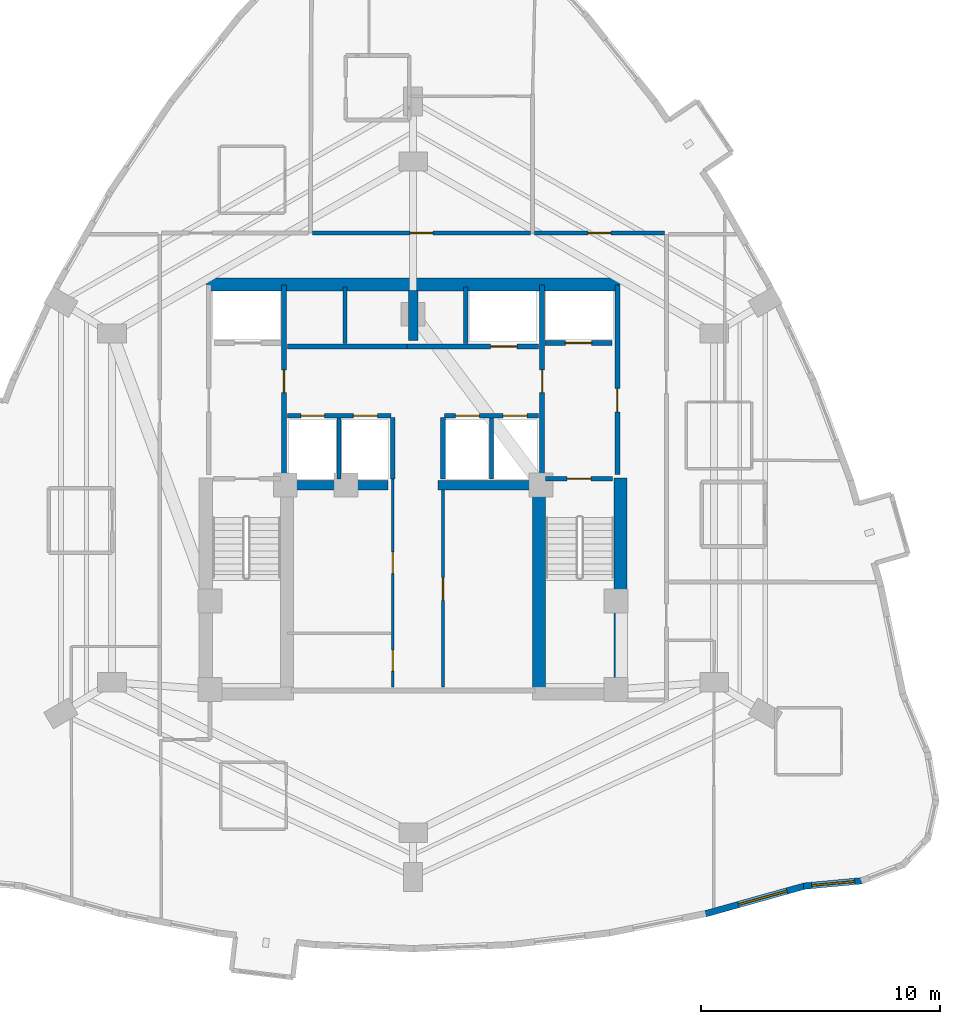
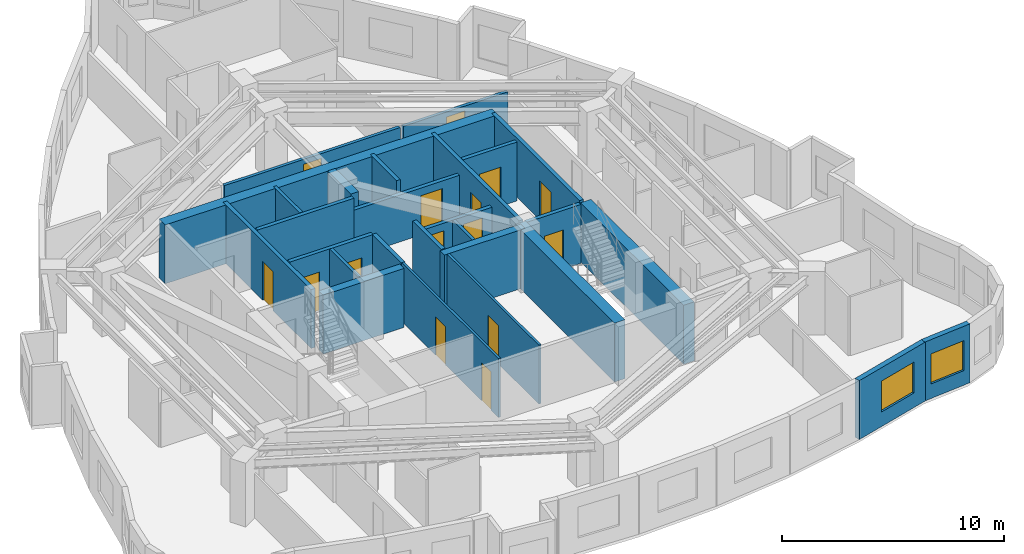
# One storey, part 6 of 10: 27 walls, 15 doors, 2 windows, 17 openings.
"""IFC4 building model written with IfcOpenShell, lengths in metres."""

import ifcopenshell
import ifcopenshell.guid

model = None  # the IFC model being written
_history = None  # IfcOwnerHistory: only IFC2X3 demands one
_inside = {}  # id of a spatial element -> (the spatial element, [elements in it])
_under = {}  # id of a project, library or spatial element -> (it, [spatial elements below it])
_declared = {}  # id of a project -> (the project, [libraries it declares])
_typed = {}  # id of a type object -> (the type object, [elements of that type])
_made_of = {}  # id of a material, layer set ... -> (it, [elements and type objects made of it])


def new_model(schema):
    """Start an empty IFC model of exactly this schema.

    Asked for "IFC4X3", IfcOpenShell would pick the latest addendum, in which some entities
    have other attributes; the version numbers below select the first issue.
    IFC2X3 requires an IfcOwnerHistory on every rooted entity: one is made here for all.
    """
    global model, _history
    if schema == "IFC4X3":
        model = ifcopenshell.file(schema_version=(4, 3, 0, 0))
    else:
        model = ifcopenshell.file(schema=schema)
    _inside.clear()
    _under.clear()
    _declared.clear()
    _typed.clear()
    _made_of.clear()
    _history = None
    if model.schema == "IFC2X3":
        org = make("IfcOrganization", Name="unknown")
        user = make(
            "IfcPersonAndOrganization",
            ThePerson=make("IfcPerson", FamilyName="unknown"),
            TheOrganization=org,
        )
        app = make(
            "IfcApplication",
            ApplicationDeveloper=org,
            Version="unknown",
            ApplicationFullName="unknown",
            ApplicationIdentifier="unknown",
        )
        _history = make(
            "IfcOwnerHistory",
            OwningUser=user,
            OwningApplication=app,
            ChangeAction="ADDED",
            CreationDate=0,
        )
    return model


def make(cls, **values):
    """One entity of the class cls with the attributes given. An attribute that is None is left unset."""
    return model.create_entity(
        cls, **{name: value for name, value in values.items() if value is not None}
    )


def rooted(cls, **values):
    """An entity with a GlobalId (a new one), such as an element, a storey or a relation."""
    return make(cls, GlobalId=ifcopenshell.guid.new(), OwnerHistory=_history, **values)


def si_unit(unit_type, name, prefix=None):
    """IfcSIUnit, for example si_unit("LENGTHUNIT", "METRE", prefix="MILLI")."""
    return make("IfcSIUnit", UnitType=unit_type, Prefix=prefix, Name=name)


def assignment(units):
    """IfcUnitAssignment: the units of a project."""
    return None if units is None else make("IfcUnitAssignment", Units=units)


def point(xyz):
    """IfcCartesianPoint."""
    return None if xyz is None else make("IfcCartesianPoint", Coordinates=xyz)


def direction(xyz):
    """IfcDirection."""
    return None if xyz is None else make("IfcDirection", DirectionRatios=xyz)


def frame(location, z_axis=None, x_axis=None):
    """IfcAxis2Placement3D, a coordinate frame: its origin and axes. An axis left out is left unset."""
    return make(
        "IfcAxis2Placement3D",
        Location=point(location),
        Axis=direction(z_axis),
        RefDirection=direction(x_axis),
    )


def frame_2d(location, x_axis=None):
    """IfcAxis2Placement2D, a coordinate frame in the plane: its origin and x axis."""
    return make(
        "IfcAxis2Placement2D", Location=point(location), RefDirection=direction(x_axis)
    )


def origin():
    """The frame at (0, 0, 0) with its axes left unset."""
    return frame((0.0, 0.0, 0.0))


def place(relative_to, where):
    """IfcLocalPlacement: puts the frame where relative to a parent placement (None: the world)."""
    return make(
        "IfcLocalPlacement", PlacementRelTo=relative_to, RelativePlacement=where
    )


def context(
    kind, dimensions, precision=None, world=None, true_north=None, identifier=None
):
    """IfcGeometricRepresentationContext, for example the 3D "Model" context."""
    return make(
        "IfcGeometricRepresentationContext",
        ContextIdentifier=identifier,
        ContextType=kind,
        CoordinateSpaceDimension=dimensions,
        Precision=precision,
        WorldCoordinateSystem=world,
        TrueNorth=true_north,
    )


def subcontext(parent, identifier, kind, view, scale=None):
    """IfcGeometricRepresentationSubContext, for example "Body" below "Model"."""
    return make(
        "IfcGeometricRepresentationSubContext",
        ContextIdentifier=identifier,
        ContextType=kind,
        ParentContext=parent,
        TargetScale=scale,
        TargetView=view,
    )


def project(units=None, contexts=None):
    """IfcProject with its units and contexts."""
    return rooted(
        "IfcProject",
        Name="project",
        RepresentationContexts=contexts,
        UnitsInContext=assignment(units),
    )


def spatial(cls, under=None, at=None, **own):
    """A site, building, storey or space (cls), placed at a placement, below another one or the project."""
    s = rooted(cls, ObjectPlacement=at, **own)
    if under is not None:
        _under.setdefault(under.id(), (under, []))[1].append(s)
    return s


def profile(cls, at=None, kind="AREA", **sizes):
    """A parametric profile (cls). Its sizes go by their IFC names, for example OverallWidth=200.0."""
    return make(cls, ProfileType=kind, Position=at, **sizes)


def rectangle(**sizes):
    """IfcRectangleProfileDef."""
    return profile("IfcRectangleProfileDef", **sizes)


def extrude(swept, where, along, depth):
    """IfcExtrudedAreaSolid: the profile swept, set in the frame where, extruded along a direction by depth."""
    return make(
        "IfcExtrudedAreaSolid",
        SweptArea=swept,
        Position=where,
        ExtrudedDirection=direction(along),
        Depth=depth,
    )


def shape(context_of_items, identifier, shape_type, items):
    """IfcShapeRepresentation: the items that make up one representation, for example the "Body"."""
    return make(
        "IfcShapeRepresentation",
        ContextOfItems=context_of_items,
        RepresentationIdentifier=identifier,
        RepresentationType=shape_type,
        Items=items,
    )


def material(Name=None, Category=None):
    """IfcMaterial."""
    return make("IfcMaterial", Name=Name, Category=Category)


def layer(
    of_material, thickness, ventilated=None, Name=None, Category=None, Priority=None
):
    """IfcMaterialLayer: one layer of a wall or slab, of a material (None: an air gap)."""
    return make(
        "IfcMaterialLayer",
        Material=of_material,
        LayerThickness=thickness,
        IsVentilated=ventilated,
        Name=Name,
        Category=Category,
        Priority=Priority,
    )


def layer_set(layers, Name=None):
    """IfcMaterialLayerSet."""
    return make("IfcMaterialLayerSet", MaterialLayers=layers, LayerSetName=Name)


def made_of(thing, what):
    """Note that an element or type object is made of a material, layer set ...; save() writes the relation."""
    if what is not None:
        _made_of.setdefault(what.id(), (what, []))[1].append(thing)
    return thing


def type_object(cls, material=None, **own):
    """A type object (cls), such as IfcWallType, which elements share."""
    return made_of(rooted(cls, **own), material)


def element(
    cls,
    number,
    at=None,
    inside=None,
    cuts=None,
    type_object=None,
    material=None,
    context=None,
    identifier="Body",
    shape_type=None,
    held_by="IfcProductDefinitionShape",
    body=None,
    shapes=None,
    **own,
):
    """One element of the class cls, such as IfcWall. Its Tag is "e" and its number.

    at: its placement. inside: the storey or other place that contains it. cuts: it is an
    opening in that element (IfcRelVoidsElement). A single representation is given by context,
    identifier, shape_type and body (its items); several are given by shapes. held_by: the class
    of the entity that holds the representations. save() writes the other relations.
    """
    e = rooted(cls, Tag="e%d" % number, ObjectPlacement=at, **own)
    if body is not None:
        shapes = [shape(context, identifier, shape_type, body)]
    if shapes is not None:
        e.Representation = make(held_by, Representations=shapes)
    if inside is not None:
        _inside.setdefault(inside.id(), (inside, []))[1].append(e)
    if cuts is not None:
        rooted(
            "IfcRelVoidsElement", RelatingBuildingElement=cuts, RelatedOpeningElement=e
        )
    if type_object is not None:
        _typed.setdefault(type_object.id(), (type_object, []))[1].append(e)
    return made_of(e, material)


def fill(opening, filler):
    """IfcRelFillsElement: the door or window that sits in an opening."""
    return rooted(
        "IfcRelFillsElement",
        RelatingOpeningElement=opening,
        RelatedBuildingElement=filler,
    )


def aggregate(whole, parts):
    """IfcRelAggregates: a whole, such as a stair, and the parts it consists of."""
    return rooted("IfcRelAggregates", RelatingObject=whole, RelatedObjects=parts)


def save(model, path):
    """Write the relations noted so far, then the file.

    IfcRelAggregates (storeys below a building ...), IfcRelContainedInSpatialStructure (elements
    in a storey), IfcRelDefinesByType, IfcRelAssociatesMaterial and IfcRelDeclares: one each for
    every whole, place, type object, material and project.
    """
    for whole, parts in _under.values():
        aggregate(whole, parts)
    for where, things in _inside.values():
        rooted(
            "IfcRelContainedInSpatialStructure",
            RelatedElements=things,
            RelatingStructure=where,
        )
    for kind, things in _typed.values():
        rooted("IfcRelDefinesByType", RelatedObjects=things, RelatingType=kind)
    for what, things in _made_of.values():
        rooted("IfcRelAssociatesMaterial", RelatedObjects=things, RelatingMaterial=what)
    for by, libraries in _declared.values():
        rooted("IfcRelDeclares", RelatingContext=by, RelatedDefinitions=libraries)
    model.write(path)


model = new_model("IFC4")

# Units and contexts
model_context = context("Model", 3, precision=1e-05, world=origin(), true_north=direction((0.0, 1.0)))
body_context = subcontext(model_context, "Body", "Model", "MODEL_VIEW")
ifc_project = project(units=[si_unit("LENGTHUNIT", "METRE"), si_unit("AREAUNIT", "SQUARE_METRE"), si_unit("VOLUMEUNIT", "CUBIC_METRE"), si_unit("PLANEANGLEUNIT", "RADIAN"), si_unit("MASSUNIT", "GRAM", prefix="KILO")], contexts=[model_context])

# Site, building, storey
site_placement = place(None, origin())
site = spatial("IfcSite", under=ifc_project, at=site_placement, CompositionType="ELEMENT")
building_placement = place(site_placement, origin())
building = spatial("IfcBuilding", under=site, at=building_placement, Name="Miruveldt Soraemaru", CompositionType="ELEMENT")
storey_placement = place(building_placement, frame((0.0, 0.0, 121.39990234375)))
storey = spatial("IfcBuildingStorey", under=building, at=storey_placement, Name="L33", CompositionType="ELEMENT", Elevation=121.39990234375)

# Walls
ifc_material_1 = material(Name="Concrete C70/85 (70 MPa)", Category="concrete")
ifc_layer_1 = layer(ifc_material_1, 0.5, Name="Concrete C70/85 (70 MPa)", Category="concrete")
ifc_layer_set_1 = layer_set([ifc_layer_1], Name="Concrete C70/85 (70 MPa)")
wall_type_1 = type_object("IfcWallType", Name="WALL-BW-500", PredefinedType="SHEAR", material=ifc_layer_set_1)
wall_1_placement = place(storey_placement, frame((44.0, 50.10009765625, 0.0), z_axis=(0.0, 0.0, 1.0), x_axis=(0.0, 1.0, 0.0)))
element("IfcWall", 1, at=wall_1_placement, inside=storey, type_object=wall_type_1, Name="L33 Core Buttress Shear Wall BN", PredefinedType="SHEAR", context=body_context, shape_type="SweptSolid", body=[
    extrude(rectangle(XDim=2.099853515625, YDim=0.39990234375, at=frame_2d((1.0498046875, 0.0))), origin(), (0.0, 0.0, 1.0), 3.235107421875),
])
for number, where, z_axis, x_axis, name in (
    (2, (38.75, 44.050048828125, 0.0), (0.0, 0.0, 1.0), (1.0, 0.0, 0.0), "L33 Core Buttress Shear Wall BW"),
    (3, (45.050048828125, 44.050048828125, 0.0), (0.0, 0.0, 1.0), (1.0, 0.0, 0.0), "L33 Core Buttress Shear Wall BE"),
):
    element("IfcWall", number, at=place(storey_placement, frame(where, z_axis=z_axis, x_axis=x_axis)), inside=storey, type_object=wall_type_1, Name=name, PredefinedType="SHEAR", context=body_context, shape_type="SweptSolid", body=[
        extrude(rectangle(XDim=4.199951171875, YDim=0.39990234375, at=frame_2d((2.10009765625, 0.0))), origin(), (0.0, 0.0, 1.0), 3.235107421875),
    ])
ifc_layer_2 = layer(ifc_material_1, 0.550048828125, Name="Concrete C70/85 (70 MPa)", Category="concrete")
ifc_layer_set_2 = layer_set([ifc_layer_2], Name="Concrete C70/85 (70 MPa)")
wall_type_2 = type_object("IfcWallType", Name="WALL-CW-550", PredefinedType="SHEAR", material=ifc_layer_set_2)
wall_2_placement = place(storey_placement, frame((35.35009765625, 52.449951171875, 0.0), z_axis=(0.0, 0.0, 1.0), x_axis=(1.0, 0.0, 0.0)))
element("IfcWall", 4, at=wall_2_placement, inside=storey, type_object=wall_type_2, Name="L33 Central Core Shear Wall N", PredefinedType="SHEAR", context=body_context, shape_type="SweptSolid", body=[
    extrude(rectangle(XDim=17.2998046875, YDim=0.550048828125, at=frame_2d((8.64990234375, 0.0))), origin(), (0.0, 0.0, 1.0), 3.235107421875),
])
wall_3_placement = place(storey_placement, frame((52.675048828125, 35.050048828125, 0.0), z_axis=(0.0, 0.0, 1.0), x_axis=(0.0, 1.0, 0.0)))
element("IfcWall", 5, at=wall_3_placement, inside=storey, type_object=wall_type_2, Name="L33 Central Core Shear Wall E1", PredefinedType="SHEAR", context=body_context, shape_type="SweptSolid", body=[
    extrude(rectangle(XDim=9.300048828125, YDim=0.550048828125, at=frame_2d((4.64990234375, 0.0))), origin(), (0.0, 0.0, 1.0), 3.235107421875),
])
wall_4_placement = place(storey_placement, frame((49.27490234375, 35.39990234375, 0.0), z_axis=(0.0, 0.0, 1.0), x_axis=(0.0, 1.0, 0.0)))
element("IfcWall", 6, at=wall_4_placement, inside=storey, type_object=wall_type_2, Name="L33 Central Core Shear Wall SE-INT", PredefinedType="SHEAR", context=body_context, shape_type="SweptSolid", body=[
    extrude(rectangle(XDim=8.9501953125, YDim=0.550048828125, at=frame_2d((4.47509765625, 0.0))), origin(), (0.0, 0.0, 1.0), 3.235107421875),
])

# Wall, opening, window
ifc_material_2 = material(Name="Precast concrete C45/55 (45 MPa)", Category="concrete")
ifc_layer_3 = layer(ifc_material_2, 0.27001953125, Name="Precast concrete C45/55 (45 MPa)", Category="concrete")
ifc_layer_set_3 = layer_set([ifc_layer_3], Name="Precast concrete C45/55 (45 MPa)")
wall_type_3 = type_object("IfcWallType", Name="WALL-EXT-PC270", PredefinedType="SOLIDWALL", material=ifc_layer_set_3)
wall_5_placement = place(storey_placement, frame((56.248291015625, 26.11083984375, 0.0), z_axis=(0.0, 0.0, 1.0), x_axis=(0.96297692647, 0.269583825714, 0.0)))
wall_5 = element("IfcWall", 7, at=wall_5_placement, inside=storey, type_object=wall_type_3, Name="L33 Precast Concrete Facade Wall 28", PredefinedType="SOLIDWALL", context=body_context, shape_type="SweptSolid", body=[
    extrude(rectangle(XDim=4.321533203125, YDim=0.27001953125, at=frame_2d((2.16064453125, 0.0))), origin(), (0.0, 0.0, 1.0), 3.235107421875),
])
opening_1_placement = place(wall_5_placement, frame((1.423095703125, 0.0, 0.800048828125)))
opening_1 = element("IfcOpeningElement", 8, at=opening_1_placement, cuts=wall_5, Name="Opening WN-1", PredefinedType="OPENING", context=body_context, shape_type="SweptSolid", body=[
    extrude(rectangle(XDim=2.10009765625, YDim=1.699951171875, at=frame_2d((1.050048828125, 0.85009765625))), frame((0.0, 0.14501953125, 0.0), z_axis=(0.0, -1.0, 0.0), x_axis=(1.0, 0.0, 0.0)), (0.0, 0.0, 1.0), 0.2900390625),
])
ifc_material_3 = material(Name="Triple low-e insulated glazing", Category="glass")
window_type_1 = type_object("IfcWindowType", Name="WIN-PUNCH-2100x1700", PartitioningType="SINGLE_PANEL", PredefinedType="WINDOW", material=ifc_material_3)
window_1_placement = place(opening_1_placement, origin())
window_1 = element("IfcWindow", 9, at=window_1_placement, inside=storey, type_object=window_type_1, Name="L33 Punched Triple-Glazed Window 28.1", OverallHeight=1.699951171875, OverallWidth=2.10009765625, PartitioningType="SINGLE_PANEL", PredefinedType="WINDOW", context=body_context, shape_type="SweptSolid", body=[
    extrude(rectangle(XDim=2.10009765625, YDim=1.699951171875, at=frame_2d((1.050048828125, 0.85009765625))), frame((0.0, 0.030029296875, 0.0), z_axis=(0.0, -1.0, 0.0), x_axis=(1.0, 0.0, 0.0)), (0.0, 0.0, 1.0), 0.06005859375),
])
fill(opening_1, window_1)

wall_6_placement = place(storey_placement, frame((60.34130859375, 27.26318359375, 0.0), z_axis=(0.0, 0.0, 1.0), x_axis=(0.995755492047, 0.092038035932, 0.0)))
wall_6 = element("IfcWall", 10, at=wall_6_placement, inside=storey, type_object=wall_type_3, Name="L33 Precast Concrete Facade Wall 29", PredefinedType="SOLIDWALL", context=body_context, shape_type="SweptSolid", body=[
    extrude(rectangle(XDim=2.49072265625, YDim=0.27001953125, at=frame_2d((1.245361328125, 0.0))), origin(), (0.0, 0.0, 1.0), 3.235107421875),
])
opening_2_placement = place(wall_6_placement, frame((0.345947265625, 0.0, 0.800048828125)))
opening_2 = element("IfcOpeningElement", 11, at=opening_2_placement, cuts=wall_6, Name="Opening WN-2", PredefinedType="OPENING", context=body_context, shape_type="SweptSolid", body=[
    extrude(rectangle(XDim=1.800048828125, YDim=1.64990234375, at=frame_2d((0.89990234375, 0.824951171875))), frame((0.0, 0.14501953125, 0.0), z_axis=(0.0, -1.0, 0.0), x_axis=(1.0, 0.0, 0.0)), (0.0, 0.0, 1.0), 0.2900390625),
])
window_type_2 = type_object("IfcWindowType", Name="WIN-PUNCH-1800x1650", PartitioningType="SINGLE_PANEL", PredefinedType="WINDOW", material=ifc_material_3)
window_2_placement = place(opening_2_placement, origin())
window_2 = element("IfcWindow", 12, at=window_2_placement, inside=storey, type_object=window_type_2, Name="L33 Punched Triple-Glazed Window 29.1", OverallHeight=1.64990234375, OverallWidth=1.800048828125, PartitioningType="SINGLE_PANEL", PredefinedType="WINDOW", context=body_context, shape_type="SweptSolid", body=[
    extrude(rectangle(XDim=1.800048828125, YDim=1.64990234375, at=frame_2d((0.89990234375, 0.824951171875))), frame((0.0, 0.030029296875, 0.0), z_axis=(0.0, -1.0, 0.0), x_axis=(1.0, 0.0, 0.0)), (0.0, 0.0, 1.0), 0.06005859375),
])
fill(opening_2, window_2)

# Wall, openings, doors
ifc_material_4 = material(Name="Gypsum plasterboard lining", Category="gypsum")
ifc_layer_4 = layer(ifc_material_4, 0.1201171875, Name="Gypsum plasterboard lining", Category="gypsum")
ifc_layer_set_4 = layer_set([ifc_layer_4], Name="Gypsum plasterboard lining")
wall_type_4 = type_object("IfcWallType", Name="WALL-INT-P120", PredefinedType="PARTITIONING", material=ifc_layer_set_4)
wall_7_placement = place(storey_placement, frame((43.14990234375, 35.60009765625, 0.0), z_axis=(0.0, 0.0, 1.0), x_axis=(0.0, 1.0, 0.0)))
wall_7 = element("IfcWall", 13, at=wall_7_placement, inside=storey, type_object=wall_type_4, Name="L33 Core Compartment Wall SP-WL", PredefinedType="PARTITIONING", context=body_context, shape_type="SweptSolid", body=[
    extrude(rectangle(XDim=8.699951171875, YDim=0.1201171875, at=frame_2d((4.35009765625, 0.0))), origin(), (0.0, 0.0, 1.0), 3.235107421875),
])
opening_3_placement = place(wall_7_placement, frame((0.659912109375, 0.0, 0.0)))
opening_3 = element("IfcOpeningElement", 14, at=opening_3_placement, cuts=wall_7, Name="Opening D4", PredefinedType="OPENING", context=body_context, shape_type="SweptSolid", body=[
    extrude(rectangle(XDim=0.8798828125, YDim=2.10009765625, at=frame_2d((0.43994140625, 1.050048828125))), frame((0.0, 0.070068359375, 0.0), z_axis=(0.0, -1.0, 0.0), x_axis=(1.0, 0.0, 0.0)), (0.0, 0.0, 1.0), 0.14013671875),
])
opening_4_placement = place(wall_7_placement, frame((4.739990234375, 0.0, 0.0)))
opening_4 = element("IfcOpeningElement", 15, at=opening_4_placement, cuts=wall_7, Name="Opening D3A", PredefinedType="OPENING", context=body_context, shape_type="SweptSolid", body=[
    extrude(rectangle(XDim=0.919921875, YDim=2.10009765625, at=frame_2d((0.4599609375, 1.050048828125))), frame((0.0, 0.070068359375, 0.0), z_axis=(0.0, -1.0, 0.0), x_axis=(1.0, 0.0, 0.0)), (0.0, 0.0, 1.0), 0.14013671875),
])
ifc_material_5 = material(Name="Anodised aluminium EN AW-6063 T6", Category="aluminium")
door_type_1 = type_object("IfcDoorType", Name="DOOR-INT-880", OperationType="NOTDEFINED", PredefinedType="DOOR", material=ifc_material_5)
door_1_placement = place(opening_3_placement, origin())
door_1 = element("IfcDoor", 16, at=door_1_placement, inside=storey, type_object=door_type_1, Name="L33 Fire Door", OperationType="SINGLE_SWING_LEFT", OverallHeight=2.10009765625, OverallWidth=0.8798828125, PredefinedType="DOOR", context=body_context, shape_type="SweptSolid", body=[
    extrude(rectangle(XDim=0.8798828125, YDim=2.10009765625, at=frame_2d((0.43994140625, 1.050048828125))), frame((0.0, 0.02490234375, 0.0), z_axis=(0.0, -1.0, 0.0), x_axis=(1.0, 0.0, 0.0)), (0.0, 0.0, 1.0), 0.050048828125),
])
fill(opening_3, door_1)
door_type_2 = type_object("IfcDoorType", Name="DOOR-INT-920", OperationType="NOTDEFINED", PredefinedType="DOOR", material=ifc_material_5)
door_2_placement = place(opening_4_placement, origin())
door_2 = element("IfcDoor", 17, at=door_2_placement, inside=storey, type_object=door_type_2, Name="L33 Fire Door", OperationType="SINGLE_SWING_LEFT", OverallHeight=2.10009765625, OverallWidth=0.919921875, PredefinedType="DOOR", context=body_context, shape_type="SweptSolid", body=[
    extrude(rectangle(XDim=0.919921875, YDim=2.10009765625, at=frame_2d((0.4599609375, 1.050048828125))), frame((0.0, 0.02490234375, 0.0), z_axis=(0.0, -1.0, 0.0), x_axis=(1.0, 0.0, 0.0)), (0.0, 0.0, 1.0), 0.050048828125),
])
fill(opening_4, door_2)

# Wall, opening, door
wall_8_placement = place(storey_placement, frame((45.25, 35.60009765625, 0.0), z_axis=(0.0, 0.0, 1.0), x_axis=(0.0, 1.0, 0.0)))
wall_8 = element("IfcWall", 18, at=wall_8_placement, inside=storey, type_object=wall_type_4, Name="L33 Core Compartment Wall SP-EL", PredefinedType="PARTITIONING", context=body_context, shape_type="SweptSolid", body=[
    extrude(rectangle(XDim=8.25, YDim=0.1201171875, at=frame_2d((4.125, 0.0))), origin(), (0.0, 0.0, 1.0), 3.235107421875),
])
opening_5_placement = place(wall_8_placement, frame((3.625, 0.0, 0.0)))
opening_5 = element("IfcOpeningElement", 19, at=opening_5_placement, cuts=wall_8, Name="Opening D2", PredefinedType="OPENING", context=body_context, shape_type="SweptSolid", body=[
    extrude(rectangle(XDim=0.949951171875, YDim=2.10009765625, at=frame_2d((0.47509765625, 1.050048828125))), frame((0.0, 0.070068359375, 0.0), z_axis=(0.0, -1.0, 0.0), x_axis=(1.0, 0.0, 0.0)), (0.0, 0.0, 1.0), 0.14013671875),
])
door_type_3 = type_object("IfcDoorType", Name="DOOR-INT-950", OperationType="NOTDEFINED", PredefinedType="DOOR", material=ifc_material_5)
door_3_placement = place(opening_5_placement, origin())
door_3 = element("IfcDoor", 20, at=door_3_placement, inside=storey, type_object=door_type_3, Name="L33 Fire Door", OperationType="SINGLE_SWING_LEFT", OverallHeight=2.10009765625, OverallWidth=0.949951171875, PredefinedType="DOOR", context=body_context, shape_type="SweptSolid", body=[
    extrude(rectangle(XDim=0.949951171875, YDim=2.10009765625, at=frame_2d((0.47509765625, 1.050048828125))), frame((0.0, 0.02490234375, 0.0), z_axis=(0.0, -1.0, 0.0), x_axis=(1.0, 0.0, 0.0)), (0.0, 0.0, 1.0), 0.050048828125),
])
fill(opening_5, door_3)

ifc_material_6 = material(Name="Concrete C40/50 (40 MPa)", Category="concrete")
ifc_layer_5 = layer(ifc_material_6, 0.159912109375, Name="Concrete C40/50 (40 MPa)", Category="concrete")
ifc_layer_set_5 = layer_set([ifc_layer_5], Name="Concrete C40/50 (40 MPa)")
wall_type_5 = type_object("IfcWallType", Name="WALL-INT-RC160", PredefinedType="SOLIDWALL", material=ifc_layer_set_5)
wall_9_placement = place(storey_placement, frame((48.9169921875, 54.60009765625, 0.0), z_axis=(0.0, 0.0, 1.0), x_axis=(-1.0, 0.0, 0.0)))
wall_9 = element("IfcWall", 21, at=wall_9_placement, inside=storey, type_object=wall_type_5, Name="L33 Partition Wall 2", PredefinedType="SOLIDWALL", context=body_context, shape_type="SweptSolid", body=[
    extrude(rectangle(XDim=9.131103515625, YDim=0.159912109375, at=frame_2d((4.5654296875, 0.0))), origin(), (0.0, 0.0, 1.0), 2.423095703125),
])
opening_6_placement = place(wall_9_placement, frame((4.091064453125, 0.0, 0.0)))
opening_6 = element("IfcOpeningElement", 22, at=opening_6_placement, cuts=wall_9, Name="Opening FD2", PredefinedType="OPENING", context=body_context, shape_type="SweptSolid", body=[
    extrude(rectangle(XDim=0.949951171875, YDim=2.14990234375, at=frame_2d((0.47509765625, 1.074951171875))), frame((0.0, 0.08984375, 0.0), z_axis=(0.0, -1.0, 0.0), x_axis=(1.0, 0.0, 0.0)), (0.0, 0.0, 1.0), 0.179931640625),
])
door_type_4 = type_object("IfcDoorType", Name="DOOR-FD2-950", OperationType="NOTDEFINED", PredefinedType="DOOR", material=ifc_material_5)
door_4_placement = place(opening_6_placement, origin())
door_4 = element("IfcDoor", 23, at=door_4_placement, inside=storey, type_object=door_type_4, Name="L33 Unit 3302 Entrance Fire Door", OperationType="SINGLE_SWING_RIGHT", OverallHeight=2.14990234375, OverallWidth=0.949951171875, PredefinedType="DOOR", context=body_context, shape_type="SweptSolid", body=[
    extrude(rectangle(XDim=0.949951171875, YDim=2.14990234375, at=frame_2d((0.47509765625, 1.074951171875))), frame((0.0, 0.02490234375, 0.0), z_axis=(0.0, -1.0, 0.0), x_axis=(1.0, 0.0, 0.0)), (0.0, 0.0, 1.0), 0.050048828125),
])
fill(opening_6, door_4)

wall_10_placement = place(storey_placement, frame((54.52001953125, 54.60009765625, 0.0), z_axis=(0.0, 0.0, 1.0), x_axis=(-1.0, 0.0, 0.0)))
wall_10 = element("IfcWall", 24, at=wall_10_placement, inside=storey, type_object=wall_type_5, Name="L33 Partition Wall 3", PredefinedType="SOLIDWALL", context=body_context, shape_type="SweptSolid", body=[
    extrude(rectangle(XDim=5.43994140625, YDim=0.159912109375, at=frame_2d((2.719970703125, 0.0))), origin(), (0.0, 0.0, 1.0), 2.423095703125),
])
opening_7_placement = place(wall_10_placement, frame((2.2451171875, 0.0, 0.0)))
opening_7 = element("IfcOpeningElement", 25, at=opening_7_placement, cuts=wall_10, Name="Opening FD2", PredefinedType="OPENING", context=body_context, shape_type="SweptSolid", body=[
    extrude(rectangle(XDim=0.949951171875, YDim=2.14990234375, at=frame_2d((0.47509765625, 1.074951171875))), frame((0.0, 0.08984375, 0.0), z_axis=(0.0, -1.0, 0.0), x_axis=(1.0, 0.0, 0.0)), (0.0, 0.0, 1.0), 0.179931640625),
])
door_5_placement = place(opening_7_placement, origin())
door_5 = element("IfcDoor", 26, at=door_5_placement, inside=storey, type_object=door_type_4, Name="L33 Unit CL03 Entrance Fire Door", OperationType="SINGLE_SWING_RIGHT", OverallHeight=2.14990234375, OverallWidth=0.949951171875, PredefinedType="DOOR", context=body_context, shape_type="SweptSolid", body=[
    extrude(rectangle(XDim=0.949951171875, YDim=2.14990234375, at=frame_2d((0.47509765625, 1.074951171875))), frame((0.0, 0.02490234375, 0.0), z_axis=(0.0, -1.0, 0.0), x_axis=(1.0, 0.0, 0.0)), (0.0, 0.0, 1.0), 0.050048828125),
])
fill(opening_7, door_5)

# Walls
wall_11_placement = place(storey_placement, frame((40.89990234375, 44.300048828125, 0.0), z_axis=(0.0, 0.0, 1.0), x_axis=(0.0, 1.0, 0.0)))
element("IfcWall", 27, at=wall_11_placement, inside=storey, type_object=wall_type_5, Name="L33 Core Compartment Wall PLM-DW", PredefinedType="SOLIDWALL", context=body_context, shape_type="SweptSolid", body=[
    extrude(rectangle(XDim=2.550048828125, YDim=0.159912109375, at=frame_2d((1.27490234375, 0.0))), origin(), (0.0, 0.0, 1.0), 3.235107421875),
])
wall_12_placement = place(storey_placement, frame((47.280029296875, 44.300048828125, 0.0), z_axis=(0.0, 0.0, 1.0), x_axis=(0.0, 1.0, 0.0)))
element("IfcWall", 28, at=wall_12_placement, inside=storey, type_object=wall_type_5, Name="L33 Core Compartment Wall PLM-DE", PredefinedType="SOLIDWALL", context=body_context, shape_type="SweptSolid", body=[
    extrude(rectangle(XDim=2.550048828125, YDim=0.159912109375, at=frame_2d((1.27490234375, 0.0))), origin(), (0.0, 0.0, 1.0), 2.572998046875),
])
wall_13_placement = place(storey_placement, frame((41.14990234375, 49.97998046875, 0.0), z_axis=(0.0, 0.0, 1.0), x_axis=(0.0, 1.0, 0.0)))
element("IfcWall", 29, at=wall_13_placement, inside=storey, type_object=wall_type_5, Name="L33 Core Compartment Wall PLH-DIV1", PredefinedType="SOLIDWALL", context=body_context, shape_type="SweptSolid", body=[
    extrude(rectangle(XDim=2.3701171875, YDim=0.159912109375, at=frame_2d((1.18505859375, 0.0))), origin(), (0.0, 0.0, 1.0), 3.235107421875),
])

# Wall, opening, door
ifc_layer_6 = layer(ifc_material_6, 0.199951171875, Name="Concrete C40/50 (40 MPa)", Category="concrete")
ifc_layer_set_6 = layer_set([ifc_layer_6], Name="Concrete C40/50 (40 MPa)")
wall_type_6 = type_object("IfcWallType", Name="WALL-INT-RC200", PredefinedType="SOLIDWALL", material=ifc_layer_set_6)
wall_14_placement = place(storey_placement, frame((52.550048828125, 44.5, 0.0), z_axis=(0.0, 0.0, 1.0), x_axis=(0.0, 1.0, 0.0)))
wall_14 = element("IfcWall", 30, at=wall_14_placement, inside=storey, type_object=wall_type_6, Name="L33 Core Compartment Wall FFE-OUT", PredefinedType="SOLIDWALL", context=body_context, shape_type="SweptSolid", body=[
    extrude(rectangle(XDim=7.919921875, YDim=0.199951171875, at=frame_2d((3.9599609375, 0.0))), origin(), (0.0, 0.0, 1.0), 3.235107421875),
])
opening_8_placement = place(wall_14_placement, frame((2.60009765625, 0.0, 0.0)))
opening_8 = element("IfcOpeningElement", 31, at=opening_8_placement, cuts=wall_14, Name="Opening FD1", PredefinedType="OPENING", context=body_context, shape_type="SweptSolid", body=[
    extrude(rectangle(XDim=1.0, YDim=2.14990234375, at=frame_2d((0.5, 1.074951171875))), frame((0.0, 0.10986328125, 0.0), z_axis=(0.0, -1.0, 0.0), x_axis=(1.0, 0.0, 0.0)), (0.0, 0.0, 1.0), 0.219970703125),
])
door_type_5 = type_object("IfcDoorType", Name="DOOR-FD1-1000", OperationType="NOTDEFINED", PredefinedType="DOOR", material=ifc_material_5)
door_6_placement = place(opening_8_placement, frame((1.0, 0.0, 0.0), z_axis=(0.0, 0.0, 1.0), x_axis=(-1.0, 0.0, 0.0)))
door_6 = element("IfcDoor", 32, at=door_6_placement, inside=storey, type_object=door_type_5, Name="L33 East Firefighting Lobby Exit Door", OperationType="SINGLE_SWING_RIGHT", OverallHeight=2.14990234375, OverallWidth=1.0, PredefinedType="DOOR", context=body_context, shape_type="SweptSolid", body=[
    extrude(rectangle(XDim=1.0, YDim=2.14990234375, at=frame_2d((0.5, 1.074951171875))), frame((0.0, 0.02490234375, 0.0), z_axis=(0.0, -1.0, 0.0), x_axis=(1.0, 0.0, 0.0)), (0.0, 0.0, 1.0), 0.050048828125),
])
fill(opening_8, door_6)

wall_15_placement = place(storey_placement, frame((38.60009765625, 44.5, 0.0), z_axis=(0.0, 0.0, 1.0), x_axis=(0.0, 1.0, 0.0)))
wall_15 = element("IfcWall", 33, at=wall_15_placement, inside=storey, type_object=wall_type_6, Name="L33 Core Compartment Wall FFW-IN", PredefinedType="SOLIDWALL", context=body_context, shape_type="SweptSolid", body=[
    extrude(rectangle(XDim=7.919921875, YDim=0.199951171875, at=frame_2d((3.9599609375, 0.0))), origin(), (0.0, 0.0, 1.0), 3.235107421875),
])
opening_9_placement = place(wall_15_placement, frame((3.425048828125, 0.0, 0.0)))
opening_9 = element("IfcOpeningElement", 34, at=opening_9_placement, cuts=wall_15, Name="Opening FD2", PredefinedType="OPENING", context=body_context, shape_type="SweptSolid", body=[
    extrude(rectangle(XDim=0.949951171875, YDim=2.14990234375, at=frame_2d((0.47509765625, 1.074951171875))), frame((0.0, 0.10986328125, 0.0), z_axis=(0.0, -1.0, 0.0), x_axis=(1.0, 0.0, 0.0)), (0.0, 0.0, 1.0), 0.219970703125),
])
door_7_placement = place(opening_9_placement, frame((0.949951171875, 0.0, 0.0), z_axis=(0.0, 0.0, 1.0), x_axis=(-1.0, 0.0, 0.0)))
door_7 = element("IfcDoor", 35, at=door_7_placement, inside=storey, type_object=door_type_4, Name="L33 Lift Lobby to West Fire Lobby Door", OperationType="SINGLE_SWING_RIGHT", OverallHeight=2.14990234375, OverallWidth=0.949951171875, PredefinedType="DOOR", context=body_context, shape_type="SweptSolid", body=[
    extrude(rectangle(XDim=0.949951171875, YDim=2.14990234375, at=frame_2d((0.47509765625, 1.074951171875))), frame((0.0, 0.02490234375, 0.0), z_axis=(0.0, -1.0, 0.0), x_axis=(1.0, 0.0, 0.0)), (0.0, 0.0, 1.0), 0.050048828125),
])
fill(opening_9, door_7)

wall_16_placement = place(storey_placement, frame((49.39990234375, 44.5, 0.0), z_axis=(0.0, 0.0, 1.0), x_axis=(0.0, 1.0, 0.0)))
wall_16 = element("IfcWall", 36, at=wall_16_placement, inside=storey, type_object=wall_type_6, Name="L33 Core Compartment Wall FFE-IN", PredefinedType="SOLIDWALL", context=body_context, shape_type="SweptSolid", body=[
    extrude(rectangle(XDim=7.919921875, YDim=0.199951171875, at=frame_2d((3.9599609375, 0.0))), origin(), (0.0, 0.0, 1.0), 3.235107421875),
])
opening_10_placement = place(wall_16_placement, frame((3.425048828125, 0.0, 0.0)))
opening_10 = element("IfcOpeningElement", 37, at=opening_10_placement, cuts=wall_16, Name="Opening FD2", PredefinedType="OPENING", context=body_context, shape_type="SweptSolid", body=[
    extrude(rectangle(XDim=0.949951171875, YDim=2.14990234375, at=frame_2d((0.47509765625, 1.074951171875))), frame((0.0, 0.10986328125, 0.0), z_axis=(0.0, -1.0, 0.0), x_axis=(1.0, 0.0, 0.0)), (0.0, 0.0, 1.0), 0.219970703125),
])
door_8_placement = place(opening_10_placement, origin())
door_8 = element("IfcDoor", 38, at=door_8_placement, inside=storey, type_object=door_type_4, Name="L33 Lift Lobby to East Fire Lobby Door", OperationType="SINGLE_SWING_LEFT", OverallHeight=2.14990234375, OverallWidth=0.949951171875, PredefinedType="DOOR", context=body_context, shape_type="SweptSolid", body=[
    extrude(rectangle(XDim=0.949951171875, YDim=2.14990234375, at=frame_2d((0.47509765625, 1.074951171875))), frame((0.0, 0.02490234375, 0.0), z_axis=(0.0, -1.0, 0.0), x_axis=(1.0, 0.0, 0.0)), (0.0, 0.0, 1.0), 0.050048828125),
])
fill(opening_10, door_8)

wall_17_placement = place(storey_placement, frame((43.75, 49.85009765625, 0.0), z_axis=(0.0, 0.0, 1.0), x_axis=(1.0, 0.0, 0.0)))
wall_17 = element("IfcWall", 39, at=wall_17_placement, inside=storey, type_object=wall_type_6, Name="L33 Core Compartment Wall ROWA-SE", PredefinedType="SOLIDWALL", context=body_context, shape_type="SweptSolid", body=[
    extrude(rectangle(XDim=5.5, YDim=0.199951171875, at=frame_2d((2.75, 0.0))), origin(), (0.0, 0.0, 1.0), 2.572998046875),
])
opening_11_placement = place(wall_17_placement, frame((3.5, 0.0, 0.0)))
opening_11 = element("IfcOpeningElement", 40, at=opening_11_placement, cuts=wall_17, Name="Opening LD2", PredefinedType="OPENING", context=body_context, shape_type="SweptSolid", body=[
    extrude(rectangle(XDim=1.10009765625, YDim=2.14990234375, at=frame_2d((0.550048828125, 1.074951171875))), frame((0.0, 0.10986328125, 0.0), z_axis=(0.0, -1.0, 0.0), x_axis=(1.0, 0.0, 0.0)), (0.0, 0.0, 1.0), 0.219970703125),
])
door_type_6 = type_object("IfcDoorType", Name="DOOR-LD2-1100", OperationType="SLIDING_TO_LEFT", PredefinedType="DOOR", material=ifc_material_5)
door_9_placement = place(opening_11_placement, origin())
door_9 = element("IfcDoor", 41, at=door_9_placement, inside=storey, type_object=door_type_6, Name="L33 SL-1 Landing Door", OperationType="SLIDING_TO_LEFT", OverallHeight=2.14990234375, OverallWidth=1.10009765625, PredefinedType="DOOR", context=body_context, shape_type="SweptSolid", body=[
    extrude(rectangle(XDim=1.10009765625, YDim=2.14990234375, at=frame_2d((0.550048828125, 1.074951171875))), frame((0.0, 0.02490234375, 0.0), z_axis=(0.0, -1.0, 0.0), x_axis=(1.0, 0.0, 0.0)), (0.0, 0.0, 1.0), 0.050048828125),
])
fill(opening_11, door_9)

# Wall, openings, doors
wall_18_placement = place(storey_placement, frame((38.75, 46.949951171875, 0.0), z_axis=(0.0, 0.0, 1.0), x_axis=(1.0, 0.0, 0.0)))
wall_18 = element("IfcWall", 42, at=wall_18_placement, inside=storey, type_object=wall_type_6, Name="L33 Core Compartment Wall MBW-N", PredefinedType="SOLIDWALL", context=body_context, shape_type="SweptSolid", body=[
    extrude(rectangle(XDim=4.330078125, YDim=0.199951171875, at=frame_2d((2.1650390625, 0.0))), origin(), (0.0, 0.0, 1.0), 3.235107421875),
])
opening_12_placement = place(wall_18_placement, frame((0.550048828125, 0.0, 0.0)))
opening_12 = element("IfcOpeningElement", 43, at=opening_12_placement, cuts=wall_18, Name="Opening LD1B", PredefinedType="OPENING", context=body_context, shape_type="SweptSolid", body=[
    extrude(rectangle(XDim=1.0, YDim=2.14990234375, at=frame_2d((0.5, 1.074951171875))), frame((0.0, 0.10986328125, 0.0), z_axis=(0.0, -1.0, 0.0), x_axis=(1.0, 0.0, 0.0)), (0.0, 0.0, 1.0), 0.219970703125),
])
opening_13_placement = place(wall_18_placement, frame((2.75, 0.0, 0.0)))
opening_13 = element("IfcOpeningElement", 44, at=opening_13_placement, cuts=wall_18, Name="Opening LD1B", PredefinedType="OPENING", context=body_context, shape_type="SweptSolid", body=[
    extrude(rectangle(XDim=1.0, YDim=2.14990234375, at=frame_2d((0.5, 1.074951171875))), frame((0.0, 0.10986328125, 0.0), z_axis=(0.0, -1.0, 0.0), x_axis=(1.0, 0.0, 0.0)), (0.0, 0.0, 1.0), 0.219970703125),
])
door_type_7 = type_object("IfcDoorType", Name="DOOR-LD1-1000", OperationType="SLIDING_TO_LEFT", PredefinedType="DOOR", material=ifc_material_5)
door_10_placement = place(opening_12_placement, origin())
door_10 = element("IfcDoor", 45, at=door_10_placement, inside=storey, type_object=door_type_7, Name="L33 PL-M1 Landing Door", OperationType="SLIDING_TO_LEFT", OverallHeight=2.14990234375, OverallWidth=1.0, PredefinedType="DOOR", context=body_context, shape_type="SweptSolid", body=[
    extrude(rectangle(XDim=1.0, YDim=2.14990234375, at=frame_2d((0.5, 1.074951171875))), frame((0.0, 0.02490234375, 0.0), z_axis=(0.0, -1.0, 0.0), x_axis=(1.0, 0.0, 0.0)), (0.0, 0.0, 1.0), 0.050048828125),
])
fill(opening_12, door_10)
door_11_placement = place(opening_13_placement, origin())
door_11 = element("IfcDoor", 46, at=door_11_placement, inside=storey, type_object=door_type_7, Name="L33 PL-M2 Landing Door", OperationType="SLIDING_TO_LEFT", OverallHeight=2.14990234375, OverallWidth=1.0, PredefinedType="DOOR", context=body_context, shape_type="SweptSolid", body=[
    extrude(rectangle(XDim=1.0, YDim=2.14990234375, at=frame_2d((0.5, 1.074951171875))), frame((0.0, 0.02490234375, 0.0), z_axis=(0.0, -1.0, 0.0), x_axis=(1.0, 0.0, 0.0)), (0.0, 0.0, 1.0), 0.050048828125),
])
fill(opening_13, door_11)

wall_19_placement = place(storey_placement, frame((45.320068359375, 46.949951171875, 0.0), z_axis=(0.0, 0.0, 1.0), x_axis=(1.0, 0.0, 0.0)))
wall_19 = element("IfcWall", 47, at=wall_19_placement, inside=storey, type_object=wall_type_6, Name="L33 Core Compartment Wall MBE-N", PredefinedType="SOLIDWALL", context=body_context, shape_type="SweptSolid", body=[
    extrude(rectangle(XDim=3.929931640625, YDim=0.199951171875, at=frame_2d((1.96484375, 0.0))), origin(), (0.0, 0.0, 1.0), 2.572998046875),
])
opening_14_placement = place(wall_19_placement, frame((0.449951171875, 0.0, 0.0)))
opening_14 = element("IfcOpeningElement", 48, at=opening_14_placement, cuts=wall_19, Name="Opening LD1B", PredefinedType="OPENING", context=body_context, shape_type="SweptSolid", body=[
    extrude(rectangle(XDim=1.0, YDim=2.14990234375, at=frame_2d((0.5, 1.074951171875))), frame((0.0, 0.10986328125, 0.0), z_axis=(0.0, -1.0, 0.0), x_axis=(1.0, 0.0, 0.0)), (0.0, 0.0, 1.0), 0.219970703125),
])
opening_15_placement = place(wall_19_placement, frame((2.449951171875, 0.0, 0.0)))
opening_15 = element("IfcOpeningElement", 49, at=opening_15_placement, cuts=wall_19, Name="Opening LD1B", PredefinedType="OPENING", context=body_context, shape_type="SweptSolid", body=[
    extrude(rectangle(XDim=1.0, YDim=2.14990234375, at=frame_2d((0.5, 1.074951171875))), frame((0.0, 0.10986328125, 0.0), z_axis=(0.0, -1.0, 0.0), x_axis=(1.0, 0.0, 0.0)), (0.0, 0.0, 1.0), 0.219970703125),
])
door_12_placement = place(opening_14_placement, origin())
door_12 = element("IfcDoor", 50, at=door_12_placement, inside=storey, type_object=door_type_7, Name="L33 PL-M3 Landing Door", OperationType="SLIDING_TO_LEFT", OverallHeight=2.14990234375, OverallWidth=1.0, PredefinedType="DOOR", context=body_context, shape_type="SweptSolid", body=[
    extrude(rectangle(XDim=1.0, YDim=2.14990234375, at=frame_2d((0.5, 1.074951171875))), frame((0.0, 0.02490234375, 0.0), z_axis=(0.0, -1.0, 0.0), x_axis=(1.0, 0.0, 0.0)), (0.0, 0.0, 1.0), 0.050048828125),
])
fill(opening_14, door_12)
door_13_placement = place(opening_15_placement, origin())
door_13 = element("IfcDoor", 51, at=door_13_placement, inside=storey, type_object=door_type_7, Name="L33 PL-M4 Landing Door", OperationType="SLIDING_TO_LEFT", OverallHeight=2.14990234375, OverallWidth=1.0, PredefinedType="DOOR", context=body_context, shape_type="SweptSolid", body=[
    extrude(rectangle(XDim=1.0, YDim=2.14990234375, at=frame_2d((0.5, 1.074951171875))), frame((0.0, 0.02490234375, 0.0), z_axis=(0.0, -1.0, 0.0), x_axis=(1.0, 0.0, 0.0)), (0.0, 0.0, 1.0), 0.050048828125),
])
fill(opening_15, door_13)

# Wall, opening, door
wall_20_placement = place(storey_placement, frame((49.550048828125, 44.320068359375, 0.0), z_axis=(0.0, 0.0, 1.0), x_axis=(1.0, 0.0, 0.0)))
wall_20 = element("IfcWall", 52, at=wall_20_placement, inside=storey, type_object=wall_type_6, Name="L33 Core Compartment Wall ST2-N", PredefinedType="SOLIDWALL", context=body_context, shape_type="SweptSolid", body=[
    extrude(rectangle(XDim=2.800048828125, YDim=0.199951171875, at=frame_2d((1.39990234375, 0.0))), origin(), (0.0, 0.0, 1.0), 3.235107421875),
])
opening_16_placement = place(wall_20_placement, frame((0.89990234375, 0.0, 0.0)))
opening_16 = element("IfcOpeningElement", 53, at=opening_16_placement, cuts=wall_20, Name="Opening FD1", PredefinedType="OPENING", context=body_context, shape_type="SweptSolid", body=[
    extrude(rectangle(XDim=1.0, YDim=2.14990234375, at=frame_2d((0.5, 1.074951171875))), frame((0.0, 0.10986328125, 0.0), z_axis=(0.0, -1.0, 0.0), x_axis=(1.0, 0.0, 0.0)), (0.0, 0.0, 1.0), 0.219970703125),
])
door_14_placement = place(opening_16_placement, frame((1.0, 0.0, 0.0), z_axis=(0.0, 0.0, 1.0), x_axis=(-1.0, 0.0, 0.0)))
door_14 = element("IfcDoor", 54, at=door_14_placement, inside=storey, type_object=door_type_5, Name="L33 Stair ST-2 Fire Door", OperationType="SINGLE_SWING_RIGHT", OverallHeight=2.14990234375, OverallWidth=1.0, PredefinedType="DOOR", context=body_context, shape_type="SweptSolid", body=[
    extrude(rectangle(XDim=1.0, YDim=2.14990234375, at=frame_2d((0.5, 1.074951171875))), frame((0.0, 0.02490234375, 0.0), z_axis=(0.0, -1.0, 0.0), x_axis=(1.0, 0.0, 0.0)), (0.0, 0.0, 1.0), 0.050048828125),
])
fill(opening_16, door_14)

wall_21_placement = place(storey_placement, frame((49.52001953125, 50.0, 0.0), z_axis=(0.0, 0.0, 1.0), x_axis=(1.0, 0.0, 0.0)))
wall_21 = element("IfcWall", 55, at=wall_21_placement, inside=storey, type_object=wall_type_6, Name="L33 Core Compartment Wall FFL2-S", PredefinedType="SOLIDWALL", context=body_context, shape_type="SweptSolid", body=[
    extrude(rectangle(XDim=2.800048828125, YDim=0.199951171875, at=frame_2d((1.39990234375, 0.0))), origin(), (0.0, 0.0, 1.0), 3.235107421875),
])
opening_17_placement = place(wall_21_placement, frame((0.85009765625, 0.0, 0.0)))
opening_17 = element("IfcOpeningElement", 56, at=opening_17_placement, cuts=wall_21, Name="Opening LD2", PredefinedType="OPENING", context=body_context, shape_type="SweptSolid", body=[
    extrude(rectangle(XDim=1.10009765625, YDim=2.14990234375, at=frame_2d((0.550048828125, 1.074951171875))), frame((0.0, 0.10986328125, 0.0), z_axis=(0.0, -1.0, 0.0), x_axis=(1.0, 0.0, 0.0)), (0.0, 0.0, 1.0), 0.219970703125),
])
door_15_placement = place(opening_17_placement, origin())
door_15 = element("IfcDoor", 57, at=door_15_placement, inside=storey, type_object=door_type_6, Name="L33 FFL-2 Landing Door", OperationType="SLIDING_TO_LEFT", OverallHeight=2.14990234375, OverallWidth=1.10009765625, PredefinedType="DOOR", context=body_context, shape_type="SweptSolid", body=[
    extrude(rectangle(XDim=1.10009765625, YDim=2.14990234375, at=frame_2d((0.550048828125, 1.074951171875))), frame((0.0, 0.02490234375, 0.0), z_axis=(0.0, -1.0, 0.0), x_axis=(1.0, 0.0, 0.0)), (0.0, 0.0, 1.0), 0.050048828125),
])
fill(opening_17, door_15)

# Walls
wall_22_placement = place(storey_placement, frame((38.75, 49.85009765625, 0.0), z_axis=(0.0, 0.0, 1.0), x_axis=(1.0, 0.0, 0.0)))
element("IfcWall", 58, at=wall_22_placement, inside=storey, type_object=wall_type_6, Name="L33 Core Compartment Wall ROWA-SW", PredefinedType="SOLIDWALL", context=body_context, shape_type="SweptSolid", body=[
    extrude(rectangle(XDim=5.0, YDim=0.199951171875, at=frame_2d((2.5, 0.0))), origin(), (0.0, 0.0, 1.0), 3.235107421875),
])
for number, where, z_axis, x_axis, name in (
    (59, (43.14990234375, 44.300048828125, 0.0), (0.0, 0.0, 1.0), (0.0, 1.0, 0.0), "L33 Core Compartment Wall SP-WB"),
    (60, (45.25, 44.300048828125, 0.0), (0.0, 0.0, 1.0), (0.0, 1.0, 0.0), "L33 Core Compartment Wall SP-EB"),
):
    element("IfcWall", number, at=place(storey_placement, frame(where, z_axis=z_axis, x_axis=x_axis)), inside=storey, type_object=wall_type_6, Name=name, PredefinedType="SOLIDWALL", context=body_context, shape_type="SweptSolid", body=[
        extrude(rectangle(XDim=2.579833984375, YDim=0.199951171875, at=frame_2d((1.2900390625, 0.0))), origin(), (0.0, 0.0, 1.0), 3.235107421875),
    ])
wall_23_placement = place(storey_placement, frame((46.199951171875, 49.97998046875, 0.0), z_axis=(0.0, 0.0, 1.0), x_axis=(0.0, 1.0, 0.0)))
element("IfcWall", 61, at=wall_23_placement, inside=storey, type_object=wall_type_6, Name="L33 Core Compartment Wall PLH-SL-DIV", PredefinedType="SOLIDWALL", context=body_context, shape_type="SweptSolid", body=[
    extrude(rectangle(XDim=2.3701171875, YDim=0.199951171875, at=frame_2d((1.18505859375, 0.0))), origin(), (0.0, 0.0, 1.0), 3.235107421875),
])

save(model, "model.ifc")
